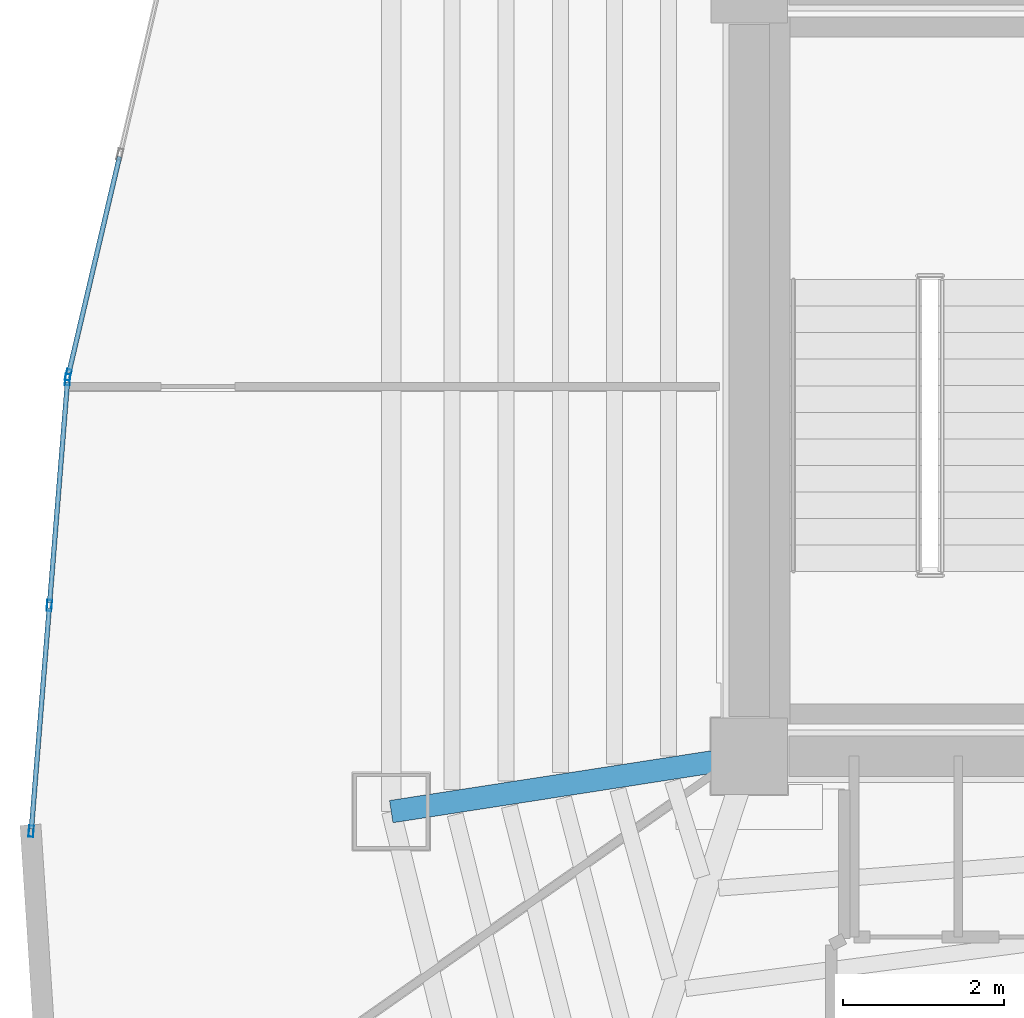
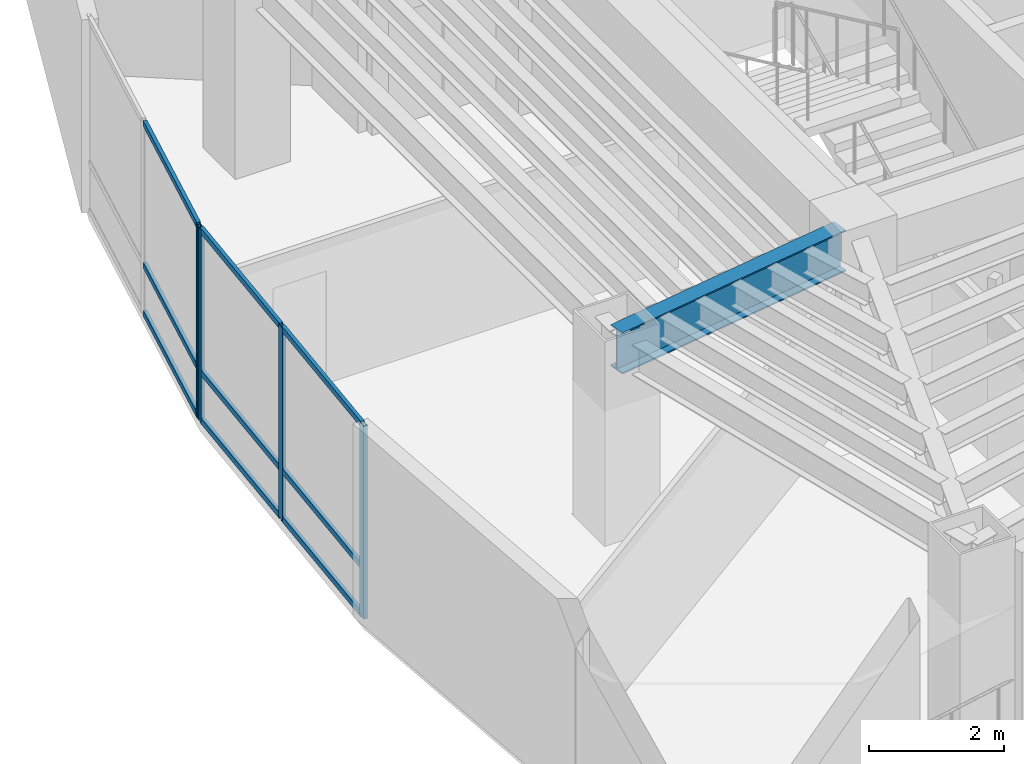
# One storey, part 2 of 15: 13 members, 1 beam, 2 elements without a shape of their own.
"""IFC4 building model written with IfcOpenShell, lengths in metres."""

from ifc_helpers import new_model, si_unit, direction, frame, origin, origin_2d, place, context, subcontext, project, spatial, hollow_rectangle, i_section, extrude, material, layer, layer_set, material_profile, profile_set, type_object, element, aggregate, save


model = new_model("IFC4")

# Units and contexts
model_context = context("Model", 3, precision=1e-05, world=origin(), true_north=direction((0.0, 1.0)))
body_context = subcontext(model_context, "Body", "Model", "MODEL_VIEW")
ifc_project = project(units=[si_unit("LENGTHUNIT", "METRE"), si_unit("AREAUNIT", "SQUARE_METRE"), si_unit("VOLUMEUNIT", "CUBIC_METRE"), si_unit("PLANEANGLEUNIT", "RADIAN"), si_unit("MASSUNIT", "GRAM", prefix="KILO")], contexts=[model_context])

# Site, building, storey
site_placement = place(None, origin())
site = spatial("IfcSite", under=ifc_project, at=site_placement, CompositionType="ELEMENT")
building_placement = place(site_placement, origin())
building = spatial("IfcBuilding", under=site, at=building_placement, Name="Menara Vayukalpa", CompositionType="ELEMENT")
storey_placement = place(building_placement, frame((0.0, 0.0, 176.639892578125)))
storey = spatial("IfcBuildingStorey", under=building, at=storey_placement, Name="L44", CompositionType="ELEMENT", Elevation=176.639892578125)

# Beam
ifc_material_1 = material(Name="Steel S355", Category="steel")
ifc_material_profile_1 = material_profile(ifc_material_1, i_section(OverallWidth=0.280029296875, OverallDepth=0.75, WebThickness=0.013916015625, FlangeThickness=0.02490234375, at=origin_2d()), Name="WF 750x280x14x25")
ifc_profile_set_1 = profile_set([ifc_material_profile_1], Name="Steel S355")
beam_type = type_object("IfcBeamType", Name="BM-PG4", PredefinedType="BEAM", material=ifc_profile_set_1)
beam_placement = place(storey_placement, frame((17.552978515625, 17.161865234375, 3.125), z_axis=(-0.988244781219, -0.152879862617, 0.0), x_axis=(0.152879862617, -0.988244781219, 0.0)))
element("IfcBeam", 1, at=beam_placement, inside=storey, type_object=beam_type, Name="L44 Primary Radial Girder RG06", PredefinedType="BEAM", context=body_context, shape_type="SweptSolid", body=[
    extrude(i_section(OverallWidth=0.280029296875, OverallDepth=0.75, WebThickness=0.013916015625, FlangeThickness=0.02490234375, at=origin_2d()), origin(), (0.0, 0.0, 1.0), 4.259033203125),
])

# Curtain wall, member
ifc_material_2 = material(Name="Anodised Terracotta Aluminium Alloy 6063-T6", Category="masonry")
ifc_layer = layer(ifc_material_2, 0.139892578125)
ifc_layer_set = layer_set([ifc_layer], Name="Anodised Terracotta Aluminium Alloy 6063-T6")
curtain_wall_type = type_object("IfcCurtainWallType", Name="CW-CW5", PredefinedType="USERDEFINED", material=ifc_layer_set)
curtain_wall_1_placement = place(storey_placement, origin())
curtain_wall_1 = element("IfcCurtainWall", 2, at=curtain_wall_1_placement, inside=storey, type_object=curtain_wall_type, Name="L44 High Rise Tapered Curtain Wall CW5 10", ObjectType="UNITISED", PredefinedType="USERDEFINED")
ifc_material_3 = material(Name="Anodised Terracotta Aluminium Alloy 6063-T6", Category="masonry")
ifc_material_profile_2 = material_profile(ifc_material_3, hollow_rectangle(XDim=0.06005859375, YDim=0.139892578125, WallThickness=0.00341796875, at=origin_2d()), Name="ALU 60x140x3.5")
ifc_profile_set_2 = profile_set([ifc_material_profile_2], Name="Anodised Terracotta Aluminium Alloy 6063-T6")
member_type_1 = type_object("IfcMemberType", Name="CWM-CW5", PredefinedType="MULLION", material=ifc_profile_set_2)
member_1_placement = place(storey_placement, frame((9.326416015625, 21.94482421875, 0.0), z_axis=(0.0, 0.0, 1.0), x_axis=(0.973626241643, -0.228148946052, 0.0)))
member_1 = element("IfcMember", 3, at=member_1_placement, type_object=member_type_1, Name="CW5 mullion 3", PredefinedType="MULLION", context=body_context, shape_type="SweptSolid", body=[
    extrude(hollow_rectangle(XDim=0.06005859375, YDim=0.139892578125, WallThickness=0.00341796875, at=origin_2d()), origin(), (0.0, 0.0, 1.0), 3.5),
])

# Curtain wall, members
curtain_wall_2_placement = place(storey_placement, origin())
curtain_wall_2 = element("IfcCurtainWall", 4, at=curtain_wall_2_placement, inside=storey, type_object=curtain_wall_type, Name="L44 High Rise Tapered Curtain Wall CW5 11", ObjectType="UNITISED", PredefinedType="USERDEFINED")
member_2_placement = place(storey_placement, frame((9.317138671875, 21.8857421875, 0.0), z_axis=(0.0, 0.0, 1.0), x_axis=(0.996764794256, -0.080373782609, 0.0)))
member_2 = element("IfcMember", 5, at=member_2_placement, type_object=member_type_1, Name="CW5 mullion 1", PredefinedType="MULLION", context=body_context, shape_type="SweptSolid", body=[
    extrude(hollow_rectangle(XDim=0.06005859375, YDim=0.139892578125, WallThickness=0.00341796875, at=origin_2d()), origin(), (0.0, 0.0, 1.0), 3.5),
])
member_3_placement = place(storey_placement, frame((9.090576171875, 19.076416015625, 0.0), z_axis=(0.0, 0.0, 1.0), x_axis=(0.996764794256, -0.080373782609, 0.0)))
member_3 = element("IfcMember", 6, at=member_3_placement, type_object=member_type_1, Name="CW5 mullion 2", PredefinedType="MULLION", context=body_context, shape_type="SweptSolid", body=[
    extrude(hollow_rectangle(XDim=0.06005859375, YDim=0.139892578125, WallThickness=0.00341796875, at=origin_2d()), origin(), (0.0, 0.0, 1.0), 3.5),
])
member_4_placement = place(storey_placement, frame((8.864013671875, 16.266845703125, 0.0), z_axis=(0.0, 0.0, 1.0), x_axis=(0.996764794256, -0.080373782609, 0.0)))
member_4 = element("IfcMember", 7, at=member_4_placement, type_object=member_type_1, Name="CW5 mullion 3", PredefinedType="MULLION", context=body_context, shape_type="SweptSolid", body=[
    extrude(hollow_rectangle(XDim=0.06005859375, YDim=0.139892578125, WallThickness=0.00341796875, at=origin_2d()), origin(), (0.0, 0.0, 1.0), 3.5),
])

# Member
ifc_material_4 = material(Name="Anodised Terracotta Aluminium Alloy 6063-T6", Category="masonry")
ifc_material_profile_3 = material_profile(ifc_material_4, hollow_rectangle(XDim=0.06005859375, YDim=0.10498046875, WallThickness=0.0029296875, at=origin_2d()), Name="ALU 60x105x3")
ifc_profile_set_3 = profile_set([ifc_material_profile_3], Name="Anodised Terracotta Aluminium Alloy 6063-T6")
member_type_2 = type_object("IfcMemberType", Name="CWT-CW5", PredefinedType="USERDEFINED", material=ifc_profile_set_3)
member_5_placement = place(storey_placement, frame((9.962646484375, 24.659912109375, 0.030029296875), z_axis=(-0.228161173023, -0.973623376427, 0.0), x_axis=(0.973623376427, -0.228161173023, 0.0)))
member_5 = element("IfcMember", 8, at=member_5_placement, type_object=member_type_2, Name="CW5 transom 2.1", ObjectType="TRANSOM", PredefinedType="USERDEFINED", context=body_context, shape_type="SweptSolid", body=[
    extrude(hollow_rectangle(XDim=0.06005859375, YDim=0.10498046875, WallThickness=0.0029296875, at=origin_2d()), origin(), (0.0, 0.0, 1.0), 2.758544921875),
])

member_6_placement = place(storey_placement, frame((9.962646484375, 24.659912109375, 0.900146484375), z_axis=(-0.228161173023, -0.973623376427, 0.0), x_axis=(0.973623376427, -0.228161173023, 0.0)))
member_6 = element("IfcMember", 9, at=member_6_placement, type_object=member_type_2, Name="CW5 transom 2.2", ObjectType="TRANSOM", PredefinedType="USERDEFINED", context=body_context, shape_type="SweptSolid", body=[
    extrude(hollow_rectangle(XDim=0.06005859375, YDim=0.10498046875, WallThickness=0.0029296875, at=origin_2d()), origin(), (0.0, 0.0, 1.0), 2.758544921875),
])

member_7_placement = place(storey_placement, frame((9.962646484375, 24.659912109375, 3.47021484375), z_axis=(-0.228161173023, -0.973623376427, 0.0), x_axis=(0.973623376427, -0.228161173023, 0.0)))
member_7 = element("IfcMember", 10, at=member_7_placement, type_object=member_type_2, Name="CW5 transom 2.3", ObjectType="TRANSOM", PredefinedType="USERDEFINED", context=body_context, shape_type="SweptSolid", body=[
    extrude(hollow_rectangle(XDim=0.06005859375, YDim=0.10498046875, WallThickness=0.0029296875, at=origin_2d()), origin(), (0.0, 0.0, 1.0), 2.758544921875),
])

aggregate(curtain_wall_1, [member_1, member_5, member_6, member_7])

member_8_placement = place(storey_placement, frame((9.314697265625, 21.85595703125, 0.030029296875), z_axis=(-0.080357244422, -0.996766127669, 0.0), x_axis=(0.996766127669, -0.080357244422, 0.0)))
member_8 = element("IfcMember", 11, at=member_8_placement, type_object=member_type_2, Name="CW5 transom 1.1", ObjectType="TRANSOM", PredefinedType="USERDEFINED", context=body_context, shape_type="SweptSolid", body=[
    extrude(hollow_rectangle(XDim=0.06005859375, YDim=0.10498046875, WallThickness=0.0029296875, at=origin_2d()), origin(), (0.0, 0.0, 1.0), 2.7587890625),
])

member_9_placement = place(storey_placement, frame((9.314697265625, 21.85595703125, 0.900146484375), z_axis=(-0.080357244422, -0.996766127669, 0.0), x_axis=(0.996766127669, -0.080357244422, 0.0)))
member_9 = element("IfcMember", 12, at=member_9_placement, type_object=member_type_2, Name="CW5 transom 1.2", ObjectType="TRANSOM", PredefinedType="USERDEFINED", context=body_context, shape_type="SweptSolid", body=[
    extrude(hollow_rectangle(XDim=0.06005859375, YDim=0.10498046875, WallThickness=0.0029296875, at=origin_2d()), origin(), (0.0, 0.0, 1.0), 2.7587890625),
])

member_10_placement = place(storey_placement, frame((9.314697265625, 21.85595703125, 3.47021484375), z_axis=(-0.080357244422, -0.996766127669, 0.0), x_axis=(0.996766127669, -0.080357244422, 0.0)))
member_10 = element("IfcMember", 13, at=member_10_placement, type_object=member_type_2, Name="CW5 transom 1.3", ObjectType="TRANSOM", PredefinedType="USERDEFINED", context=body_context, shape_type="SweptSolid", body=[
    extrude(hollow_rectangle(XDim=0.06005859375, YDim=0.10498046875, WallThickness=0.0029296875, at=origin_2d()), origin(), (0.0, 0.0, 1.0), 2.7587890625),
])

member_11_placement = place(storey_placement, frame((9.088134765625, 19.04638671875, 0.030029296875), z_axis=(-0.080364333597, -0.996765556129, 0.0), x_axis=(0.996765556129, -0.080364333597, 0.0)))
member_11 = element("IfcMember", 14, at=member_11_placement, type_object=member_type_2, Name="CW5 transom 2.1", ObjectType="TRANSOM", PredefinedType="USERDEFINED", context=body_context, shape_type="SweptSolid", body=[
    extrude(hollow_rectangle(XDim=0.06005859375, YDim=0.10498046875, WallThickness=0.0029296875, at=origin_2d()), origin(), (0.0, 0.0, 1.0), 2.758544921875),
])

member_12_placement = place(storey_placement, frame((9.088134765625, 19.04638671875, 0.900146484375), z_axis=(-0.080364333597, -0.996765556129, 0.0), x_axis=(0.996765556129, -0.080364333597, 0.0)))
member_12 = element("IfcMember", 15, at=member_12_placement, type_object=member_type_2, Name="CW5 transom 2.2", ObjectType="TRANSOM", PredefinedType="USERDEFINED", context=body_context, shape_type="SweptSolid", body=[
    extrude(hollow_rectangle(XDim=0.06005859375, YDim=0.10498046875, WallThickness=0.0029296875, at=origin_2d()), origin(), (0.0, 0.0, 1.0), 2.758544921875),
])

member_13_placement = place(storey_placement, frame((9.088134765625, 19.04638671875, 3.47021484375), z_axis=(-0.080364333597, -0.996765556129, 0.0), x_axis=(0.996765556129, -0.080364333597, 0.0)))
member_13 = element("IfcMember", 16, at=member_13_placement, type_object=member_type_2, Name="CW5 transom 2.3", ObjectType="TRANSOM", PredefinedType="USERDEFINED", context=body_context, shape_type="SweptSolid", body=[
    extrude(hollow_rectangle(XDim=0.06005859375, YDim=0.10498046875, WallThickness=0.0029296875, at=origin_2d()), origin(), (0.0, 0.0, 1.0), 2.758544921875),
])

aggregate(curtain_wall_2, [member_2, member_3, member_4, member_8, member_9, member_10, member_11, member_12, member_13])

save(model, "model.ifc")
